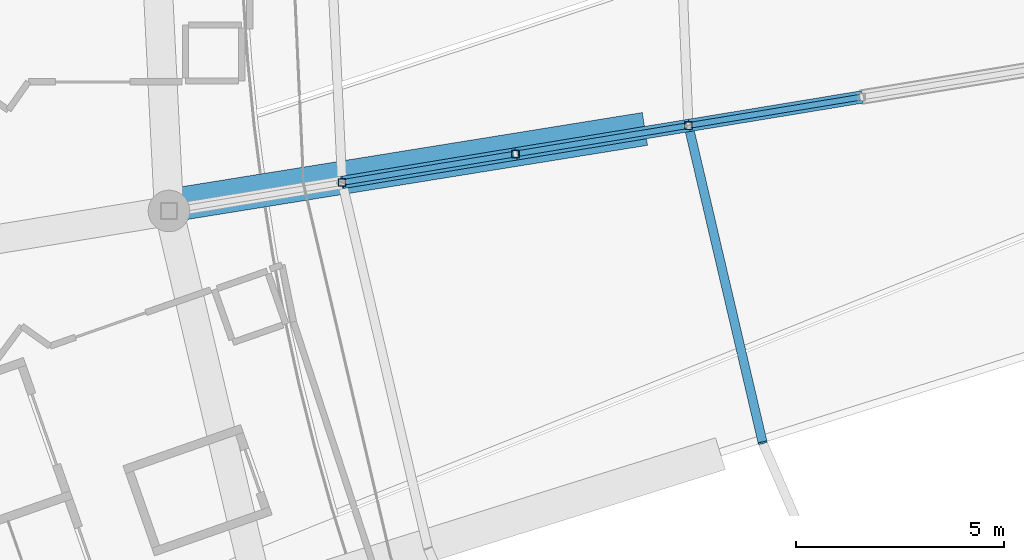
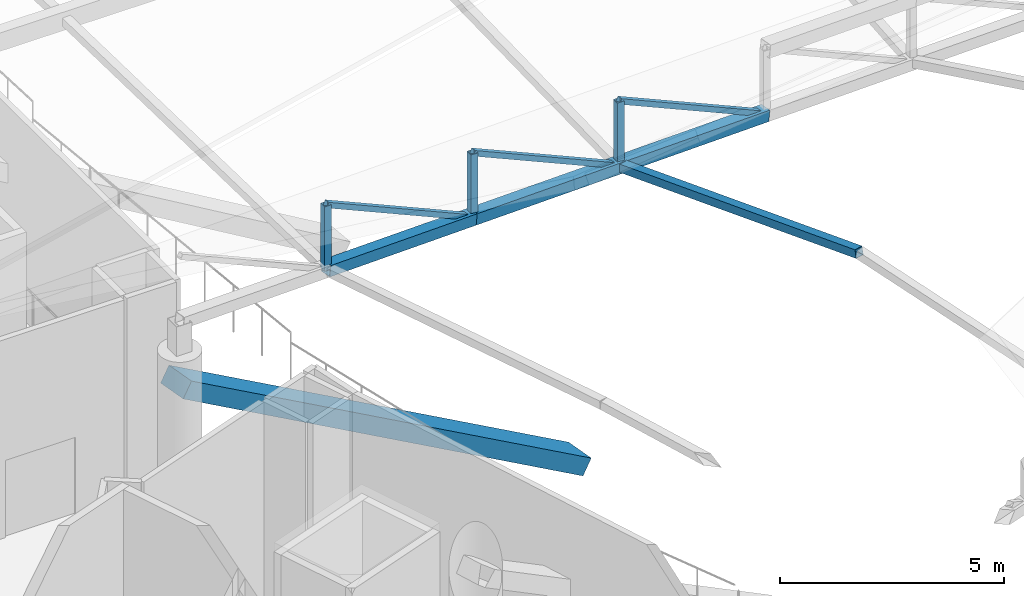
# One storey, part 17 of 344: 10 members, 1 beam.
"""IFC4 building model written with IfcOpenShell, lengths in metres."""

from ifc_helpers import new_model, si_unit, direction, frame, origin, origin_2d, place, context, subcontext, project, spatial, rectangle, hollow_rectangle, extrude, material, material_profile, profile_set, type_object, element, save


model = new_model("IFC4")

# Units and contexts
model_context = context("Model", 3, precision=1e-05, world=origin(), true_north=direction((0.0, 1.0)))
body_context = subcontext(model_context, "Body", "Model", "MODEL_VIEW")
ifc_project = project(units=[si_unit("LENGTHUNIT", "METRE"), si_unit("AREAUNIT", "SQUARE_METRE"), si_unit("VOLUMEUNIT", "CUBIC_METRE"), si_unit("PLANEANGLEUNIT", "RADIAN"), si_unit("MASSUNIT", "GRAM", prefix="KILO")], contexts=[model_context])

# Site, building, storey
site_placement = place(None, origin())
site = spatial("IfcSite", under=ifc_project, at=site_placement, CompositionType="ELEMENT")
building_placement = place(site_placement, origin())
building = spatial("IfcBuilding", under=site, at=building_placement, Name="Meseta Stadium", CompositionType="ELEMENT")
storey_placement = place(building_placement, frame((0.0, 0.0, 24.0)))
storey = spatial("IfcBuildingStorey", under=building, at=storey_placement, Name="L04", CompositionType="ELEMENT", Elevation=24.0)

# Beam
ifc_material_1 = material(Name="Concrete C40/50", Category="concrete")
ifc_material_profile_1 = material_profile(ifc_material_1, rectangle(XDim=0.800048828125, YDim=0.449951171875, at=origin_2d()), Name="RC 800x450")
ifc_profile_set_1 = profile_set([ifc_material_profile_1], Name="Concrete C40/50")
beam_type = type_object("IfcBeamType", Name="RC raker upper rear 800x450", PredefinedType="USERDEFINED", material=ifc_profile_set_1)
beam_placement = place(storey_placement, frame((-72.9921875, -51.84716796875, -2.13525390625), z_axis=(-0.837410546154, -0.134871626507, 0.529672749492), x_axis=(0.159008836168, -0.987277159677, 0.0)))
element("IfcBeam", 1, at=beam_placement, inside=storey, type_object=beam_type, Name="Raker upper rear frame 37 upper tier", ObjectType="RAKER", PredefinedType="USERDEFINED", context=body_context, shape_type="SweptSolid", body=[
    extrude(rectangle(XDim=0.800048828125, YDim=0.449951171875, at=origin_2d()), origin(), (0.0, 0.0, 1.0), 13.55810546875),
])

# Members
ifc_material_2 = material(Name="Steel S355", Category="steel")
ifc_material_profile_2 = material_profile(ifc_material_2, hollow_rectangle(XDim=0.139892578125, YDim=0.139892578125, WallThickness=0.0048828125, at=origin_2d()), Name="SHS 140x140x5")
ifc_profile_set_2 = profile_set([ifc_material_profile_2], Name="Steel S355")
member_type_1 = type_object("IfcMemberType", Name="SHS 140x140x5 diagonal", PredefinedType="BRACE", material=ifc_profile_set_2)
member_1_placement = place(storey_placement, frame((-67.660400390625, -51.060302734375, 4.94873046875), z_axis=(-0.873398123495, -0.143664139036, 0.465334646283), x_axis=(0.162307632911, -0.986740205069, 0.0)))
element("IfcMember", 2, at=member_1_placement, inside=storey, type_object=member_type_1, Name="ROOF TRUSS RT-37 diagonal", PredefinedType="BRACE", context=body_context, shape_type="SweptSolid", body=[
    extrude(hollow_rectangle(XDim=0.139892578125, YDim=0.139892578125, WallThickness=0.0048828125, at=origin_2d()), origin(), (0.0, 0.0, 1.0), 4.770263671875),
])
member_2_placement = place(storey_placement, frame((-71.82666015625, -51.74560546875, 5.41162109375), z_axis=(-0.873406786009, -0.143673983142, 0.46531534761), x_axis=(0.162316894015, -0.986738681677, 0.0)))
element("IfcMember", 3, at=member_2_placement, inside=storey, type_object=member_type_1, Name="ROOF TRUSS RT-37 diagonal", PredefinedType="BRACE", context=body_context, shape_type="SweptSolid", body=[
    extrude(hollow_rectangle(XDim=0.139892578125, YDim=0.139892578125, WallThickness=0.0048828125, at=origin_2d()), origin(), (0.0, 0.0, 1.0), 4.769775390625),
])
member_3_placement = place(storey_placement, frame((-75.99267578125, -52.430908203125, 5.874267578125), z_axis=(-0.873398123495, -0.143664139036, 0.465334646283), x_axis=(0.162307632911, -0.986740205069, 0.0)))
element("IfcMember", 4, at=member_3_placement, inside=storey, type_object=member_type_1, Name="ROOF TRUSS RT-37 diagonal", PredefinedType="BRACE", context=body_context, shape_type="SweptSolid", body=[
    extrude(hollow_rectangle(XDim=0.139892578125, YDim=0.139892578125, WallThickness=0.0048828125, at=origin_2d()), origin(), (0.0, 0.0, 1.0), 4.770263671875),
])
ifc_material_3 = material(Name="Steel S355", Category="steel")
ifc_material_profile_3 = material_profile(ifc_material_3, hollow_rectangle(XDim=0.179931640625, YDim=0.179931640625, WallThickness=0.00634765625, at=origin_2d()), Name="SHS 180x180x6.3")
ifc_profile_set_3 = profile_set([ifc_material_profile_3], Name="Steel S355")
member_type_2 = type_object("IfcMemberType", Name="SHS 180x180x6.3 post", PredefinedType="POST", material=ifc_profile_set_3)
for number, where, z_axis, x_axis, name in (
    (5, (-71.82666015625, -51.74560546875, 5.41162109375), (0.0, 0.0, 1.0), (1.0, 0.0, 0.0), "ROOF TRUSS RT-37 post"),
    (6, (-75.99267578125, -52.430908203125, 5.874267578125), (0.0, 0.0, 1.0), (1.0, 0.0, 0.0), "ROOF TRUSS RT-37 post"),
    (7, (-80.158935546875, -53.1162109375, 6.337158203125), (0.0, 0.0, 1.0), (1.0, 0.0, 0.0), "ROOF TRUSS RT-37 post"),
):
    element("IfcMember", number, at=place(storey_placement, frame(where, z_axis=z_axis, x_axis=x_axis)), inside=storey, type_object=member_type_2, Name=name, PredefinedType="POST", context=body_context, shape_type="SweptSolid", body=[
        extrude(hollow_rectangle(XDim=0.179931640625, YDim=0.179931640625, WallThickness=0.00634765625, at=origin_2d()), origin(), (0.0, 0.0, 1.0), 1.7568359375),
    ])
ifc_material_4 = material(Name="Steel S355", Category="steel")
ifc_material_profile_4 = material_profile(ifc_material_4, hollow_rectangle(XDim=0.219970703125, YDim=0.219970703125, WallThickness=0.008056640625, at=origin_2d()), Name="SHS 220x220x8")
ifc_profile_set_4 = profile_set([ifc_material_profile_4], Name="Steel S355")
member_type_3 = type_object("IfcMemberType", Name="SHS 220x220x8 strut", PredefinedType="STRUT", material=ifc_profile_set_4)
member_4_placement = place(storey_placement, frame((-71.82666015625, -51.74560546875, 5.41162109375), z_axis=(0.22312298327, -0.953596025981, 0.202165164086), x_axis=(0.973701559361, 0.227827288306, 0.0)))
element("IfcMember", 8, at=member_4_placement, inside=storey, type_object=member_type_3, Name="ROOF TRUSS STRUT RT-37/38", PredefinedType="STRUT", context=body_context, shape_type="SweptSolid", body=[
    extrude(hollow_rectangle(XDim=0.219970703125, YDim=0.219970703125, WallThickness=0.008056640625, at=origin_2d()), origin(), (0.0, 0.0, 1.0), 8.0029296875),
])
ifc_material_5 = material(Name="Steel S355", Category="steel")
ifc_material_profile_5 = material_profile(ifc_material_5, hollow_rectangle(XDim=0.300048828125, YDim=0.300048828125, WallThickness=0.010009765625, at=origin_2d()), Name="SHS 300x300x10")
ifc_profile_set_5 = profile_set([ifc_material_profile_5], Name="Steel S355")
member_type_4 = type_object("IfcMemberType", Name="SHS 300x300x10 bottom chord", PredefinedType="CHORD", material=ifc_profile_set_5)
member_5_placement = place(storey_placement, frame((-67.660400390625, -51.060302734375, 4.94873046875), z_axis=(-0.980863294148, -0.161340947358, 0.108978424008), x_axis=(0.162307632911, -0.986740205069, 0.0)))
element("IfcMember", 9, at=member_5_placement, inside=storey, type_object=member_type_4, Name="ROOF TRUSS RT-37 bottom chord", PredefinedType="CHORD", context=body_context, shape_type="SweptSolid", body=[
    extrude(hollow_rectangle(XDim=0.300048828125, YDim=0.300048828125, WallThickness=0.010009765625, at=origin_2d()), origin(), (0.0, 0.0, 1.0), 4.24755859375),
])
member_6_placement = place(storey_placement, frame((-71.82666015625, -51.74560546875, 5.41162109375), z_axis=(-0.980867258247, -0.161351054495, 0.108927769244), x_axis=(0.162316894015, -0.986738681677, 0.0)))
element("IfcMember", 10, at=member_6_placement, inside=storey, type_object=member_type_4, Name="ROOF TRUSS RT-37 bottom chord", PredefinedType="CHORD", context=body_context, shape_type="SweptSolid", body=[
    extrude(hollow_rectangle(XDim=0.300048828125, YDim=0.300048828125, WallThickness=0.010009765625, at=origin_2d()), origin(), (0.0, 0.0, 1.0), 4.247314453125),
])
member_7_placement = place(storey_placement, frame((-75.99267578125, -52.430908203125, 5.874267578125), z_axis=(-0.980863294148, -0.161340947358, 0.108978424008), x_axis=(0.162307632911, -0.986740205069, 0.0)))
element("IfcMember", 11, at=member_7_placement, inside=storey, type_object=member_type_4, Name="ROOF TRUSS RT-37 bottom chord", PredefinedType="CHORD", context=body_context, shape_type="SweptSolid", body=[
    extrude(hollow_rectangle(XDim=0.300048828125, YDim=0.300048828125, WallThickness=0.010009765625, at=origin_2d()), origin(), (0.0, 0.0, 1.0), 4.24755859375),
])

save(model, "model.ifc")
